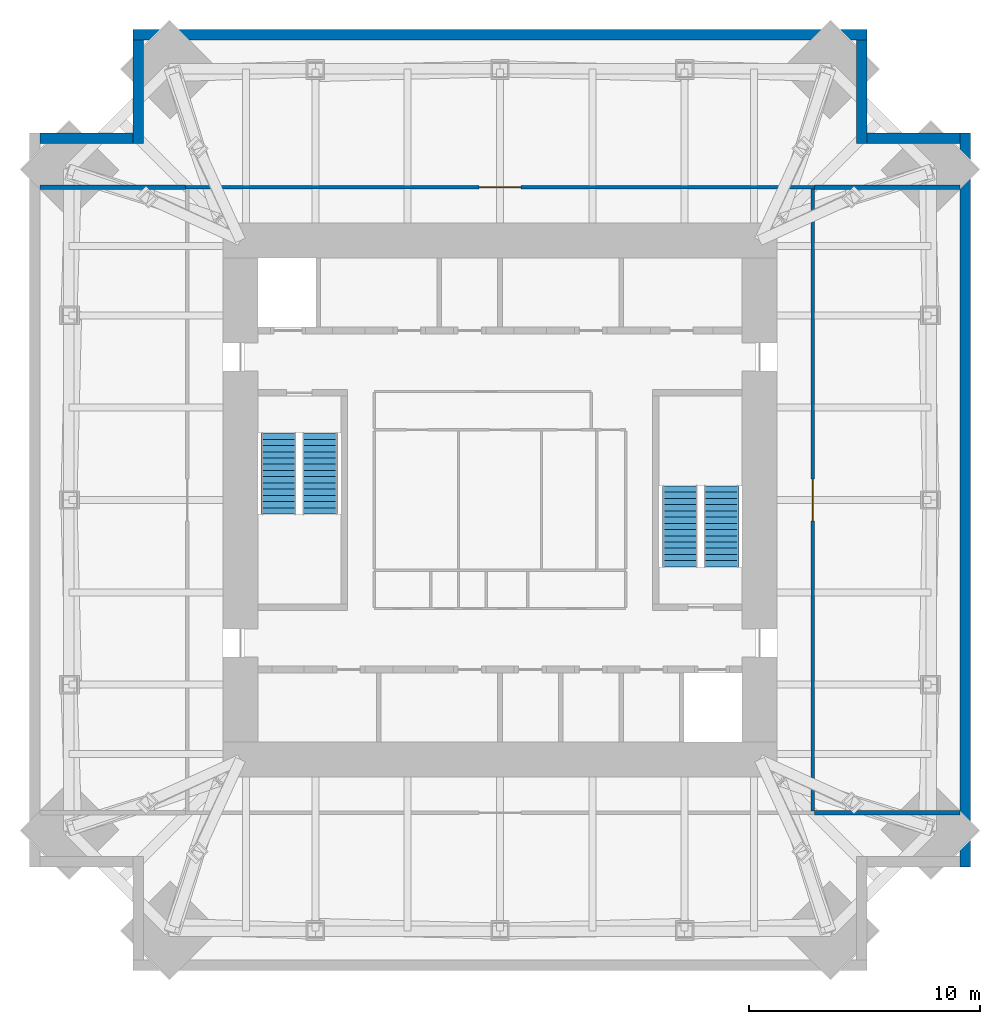
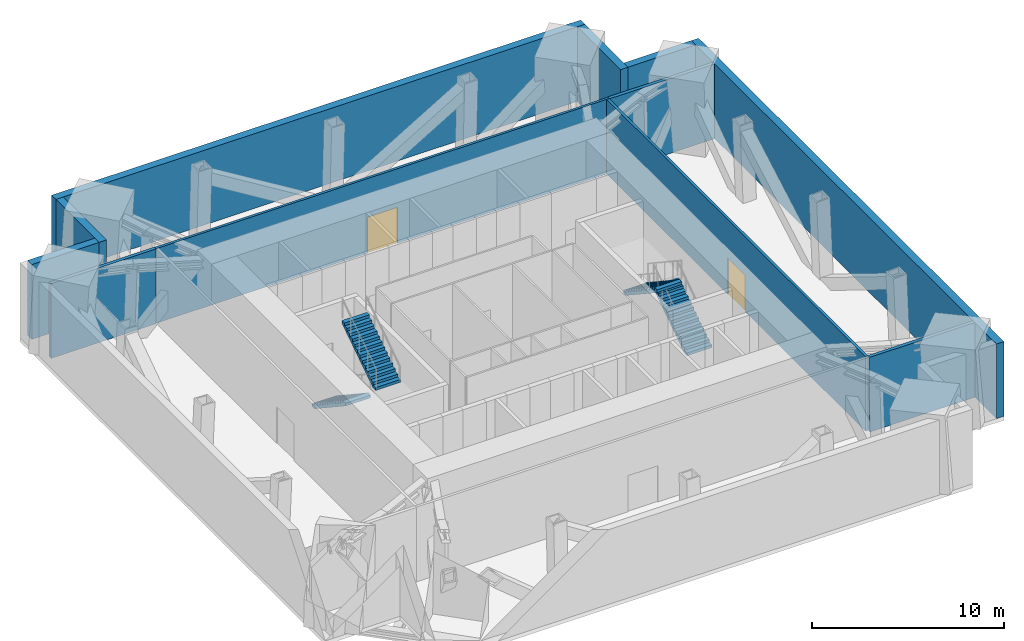
# One storey, part 5 of 6: 11 walls, 4 stair flights, 2 doors, 2 openings, 2 elements without a shape of their own.
"""IFC4 building model written with IfcOpenShell, lengths in metres."""

from ifc_helpers import new_model, si_unit, direction, frame, frame_2d, origin, place, context, subcontext, project, spatial, polyline, rectangle, outline, extrude, material, layer, layer_set, type_object, element, fill, aggregate, save


model = new_model("IFC4")

# Units and contexts
model_context = context("Model", 3, precision=1e-05, world=origin(), true_north=direction((0.0, 1.0)))
body_context = subcontext(model_context, "Body", "Model", "MODEL_VIEW")
ifc_project = project(units=[si_unit("LENGTHUNIT", "METRE"), si_unit("AREAUNIT", "SQUARE_METRE"), si_unit("VOLUMEUNIT", "CUBIC_METRE"), si_unit("PLANEANGLEUNIT", "RADIAN"), si_unit("MASSUNIT", "GRAM", prefix="KILO")], contexts=[model_context])

# Site, building, storey
site_placement = place(None, origin())
site = spatial("IfcSite", under=ifc_project, at=site_placement, CompositionType="ELEMENT")
building_placement = place(site_placement, origin())
building = spatial("IfcBuilding", under=site, at=building_placement, Name="Peilmerk Tower", CompositionType="ELEMENT")
storey_placement = place(building_placement, frame((0.0, 0.0, 302.800048828125)))
storey = spatial("IfcBuildingStorey", under=building, at=storey_placement, Name="L68", CompositionType="ELEMENT", Elevation=302.800048828125)

# Walls
ifc_material_1 = material(Name="Precast concrete C45/55, board-marked finish", Category="concrete")
ifc_layer_1 = layer(ifc_material_1, 0.449951171875)
ifc_layer_set_1 = layer_set([ifc_layer_1], Name="Precast concrete C45/55, board-marked finish")
wall_type_1 = type_object("IfcWallType", Name="EW1 450 precast concrete facade wall, board-marked", PredefinedType="SOLIDWALL", material=ifc_layer_set_1)
for number, where, z_axis, x_axis, name in (
    (1, (15.89990234375, 20.175048828125, 0.0), (0.0, 0.0, 1.0), (-1.0, 0.0, 0.0), "Facade wall N L68"),
    (2, (20.175048828125, -15.89990234375, 0.0), (0.0, 0.0, 1.0), (0.0, 1.0, 0.0), "Facade wall E L68"),
):
    element("IfcWall", number, at=place(storey_placement, frame(where, z_axis=z_axis, x_axis=x_axis)), inside=storey, type_object=wall_type_1, Name=name, PredefinedType="SOLIDWALL", context=body_context, shape_type="SweptSolid", body=[
        extrude(rectangle(XDim=31.7998046875, YDim=0.449951171875, at=frame_2d((15.89990234375, 0.0))), origin(), (0.0, 0.0, 1.0), 4.75),
    ])
wall_1_placement = place(storey_placement, frame((15.675048828125, 15.449951171875, 0.0), z_axis=(0.0, 0.0, 1.0), x_axis=(0.0, 1.0, 0.0)))
element("IfcWall", 3, at=wall_1_placement, inside=storey, type_object=wall_type_1, Name="Facade wall NEA L68", PredefinedType="SOLIDWALL", context=body_context, shape_type="SweptSolid", body=[
    extrude(rectangle(XDim=4.5, YDim=0.449951171875, at=frame_2d((2.25, 0.0))), origin(), (0.0, 0.0, 1.0), 4.75),
])
wall_2_placement = place(storey_placement, frame((15.89990234375, 15.675048828125, 0.0), z_axis=(0.0, 0.0, 1.0), x_axis=(1.0, 0.0, 0.0)))
element("IfcWall", 4, at=wall_2_placement, inside=storey, type_object=wall_type_1, Name="Facade wall NEB L68", PredefinedType="SOLIDWALL", context=body_context, shape_type="SweptSolid", body=[
    extrude(rectangle(XDim=4.050048828125, YDim=0.449951171875, at=frame_2d((2.02490234375, 0.0))), origin(), (0.0, 0.0, 1.0), 4.75),
])
wall_3_placement = place(storey_placement, frame((-15.675048828125, 15.449951171875, 0.0), z_axis=(0.0, 0.0, 1.0), x_axis=(0.0, 1.0, 0.0)))
element("IfcWall", 5, at=wall_3_placement, inside=storey, type_object=wall_type_1, Name="Facade wall NWA L68", PredefinedType="SOLIDWALL", context=body_context, shape_type="SweptSolid", body=[
    extrude(rectangle(XDim=4.5, YDim=0.449951171875, at=frame_2d((2.25, 0.0))), origin(), (0.0, 0.0, 1.0), 4.75),
])
wall_4_placement = place(storey_placement, frame((-15.89990234375, 15.675048828125, 0.0), z_axis=(0.0, 0.0, 1.0), x_axis=(-1.0, 0.0, 0.0)))
element("IfcWall", 6, at=wall_4_placement, inside=storey, type_object=wall_type_1, Name="Facade wall NWB L68", PredefinedType="SOLIDWALL", context=body_context, shape_type="SweptSolid", body=[
    extrude(rectangle(XDim=4.050048828125, YDim=0.449951171875, at=frame_2d((2.02490234375, 0.0))), origin(), (0.0, 0.0, 1.0), 4.75),
])

# Wall, opening, door
ifc_material_2 = material(Name="Calcium silicate block", Category="masonry")
ifc_layer_2 = layer(ifc_material_2, 0.14990234375)
ifc_layer_set_2 = layer_set([ifc_layer_2], Name="Calcium silicate block")
wall_type_2 = type_object("IfcWallType", Name="IW1 150 corridor partition, EI 60", PredefinedType="PARTITIONING", material=ifc_layer_set_2)
wall_5_placement = place(storey_placement, frame((-13.625, 13.550048828125, 0.0), z_axis=(0.0, 0.0, 1.0), x_axis=(1.0, 0.0, 0.0)))
wall_5 = element("IfcWall", 7, at=wall_5_placement, inside=storey, type_object=wall_type_2, Name="Corridor wall N L68", PredefinedType="PARTITIONING", context=body_context, shape_type="SweptSolid", body=[
    extrude(rectangle(XDim=27.25, YDim=0.14990234375, at=frame_2d((13.625, 0.0))), origin(), (0.0, 0.0, 1.0), 4.75),
])
opening_1_placement = place(wall_5_placement, frame((12.72509765625, 0.0, 0.0)))
opening_1 = element("IfcOpeningElement", 8, at=opening_1_placement, cuts=wall_5, Name="Opening D2", PredefinedType="OPENING", context=body_context, shape_type="SweptSolid", body=[
    extrude(rectangle(XDim=1.800048828125, YDim=2.300048828125, at=frame_2d((0.89990234375, 1.14990234375))), frame((0.0, 0.0849609375, 0.0), z_axis=(0.0, -1.0, 0.0), x_axis=(1.0, 0.0, 0.0)), (0.0, 0.0, 1.0), 0.169921875),
])
ifc_material_3 = material(Name="Steel door in steel frame", Category="steel")
door_type = type_object("IfcDoorType", Name="D2 1800x2300 double door, EI2 60", OperationType="DOUBLE_DOOR_DOUBLE_SWING", PredefinedType="DOOR", material=ifc_material_3)
door_1_placement = place(opening_1_placement, origin())
door_1 = element("IfcDoor", 9, at=door_1_placement, inside=storey, type_object=door_type, Name="Door Cooling plant room L68", OperationType="DOUBLE_DOOR_DOUBLE_SWING", OverallHeight=2.300048828125, OverallWidth=1.800048828125, PredefinedType="DOOR", context=body_context, shape_type="SweptSolid", body=[
    extrude(rectangle(XDim=1.800048828125, YDim=2.300048828125, at=frame_2d((0.89990234375, 1.14990234375))), frame((0.0, 0.02490234375, 0.0), z_axis=(0.0, -1.0, 0.0), x_axis=(1.0, 0.0, 0.0)), (0.0, 0.0, 1.0), 0.050048828125),
])
fill(opening_1, door_1)

wall_6_placement = place(storey_placement, frame((13.550048828125, -13.47509765625, 0.0), z_axis=(0.0, 0.0, 1.0), x_axis=(0.0, 1.0, 0.0)))
wall_6 = element("IfcWall", 10, at=wall_6_placement, inside=storey, type_object=wall_type_2, Name="Corridor wall E L68", PredefinedType="PARTITIONING", context=body_context, shape_type="SweptSolid", body=[
    extrude(rectangle(XDim=26.9501953125, YDim=0.14990234375, at=frame_2d((13.47509765625, 0.0))), origin(), (0.0, 0.0, 1.0), 4.75),
])
opening_2_placement = place(wall_6_placement, frame((12.574951171875, 0.0, 0.0)))
opening_2 = element("IfcOpeningElement", 11, at=opening_2_placement, cuts=wall_6, Name="Opening D2", PredefinedType="OPENING", context=body_context, shape_type="SweptSolid", body=[
    extrude(rectangle(XDim=1.800048828125, YDim=2.300048828125, at=frame_2d((0.89990234375, 1.14990234375))), frame((0.0, 0.0849609375, 0.0), z_axis=(0.0, -1.0, 0.0), x_axis=(1.0, 0.0, 0.0)), (0.0, 0.0, 1.0), 0.169921875),
])
door_2_placement = place(opening_2_placement, frame((1.800048828125, 0.0, 0.0), z_axis=(0.0, 0.0, 1.0), x_axis=(-1.0, 0.0, 0.0)))
door_2 = element("IfcDoor", 12, at=door_2_placement, inside=storey, type_object=door_type, Name="Door Plant room L68", OperationType="DOUBLE_DOOR_DOUBLE_SWING", OverallHeight=2.300048828125, OverallWidth=1.800048828125, PredefinedType="DOOR", context=body_context, shape_type="SweptSolid", body=[
    extrude(rectangle(XDim=1.800048828125, YDim=2.300048828125, at=frame_2d((0.89990234375, 1.14990234375))), frame((0.0, 0.02490234375, 0.0), z_axis=(0.0, -1.0, 0.0), x_axis=(1.0, 0.0, 0.0)), (0.0, 0.0, 1.0), 0.050048828125),
])
fill(opening_2, door_2)

# Walls
ifc_layer_3 = layer(ifc_material_2, 0.199951171875)
ifc_layer_set_3 = layer_set([ifc_layer_3], Name="Calcium silicate block")
wall_type_3 = type_object("IfcWallType", Name="IW2 200 room separating wall, EI 120", PredefinedType="PARTITIONING", material=ifc_layer_set_3)
for number, where, z_axis, x_axis, name in (
    (13, (13.625, 13.550048828125, 0.0), (0.0, 0.0, 1.0), (1.0, 0.0, 0.0), "Room separating wall NE L68"),
    (14, (-19.949951171875, 13.550048828125, 0.0), (0.0, 0.0, 1.0), (1.0, 0.0, 0.0), "Room separating wall NW L68"),
    (15, (19.949951171875, -13.550048828125, 0.0), (0.0, 0.0, 1.0), (-1.0, 0.0, 0.0), "Room separating wall SE L68"),
):
    element("IfcWall", number, at=place(storey_placement, frame(where, z_axis=z_axis, x_axis=x_axis)), inside=storey, type_object=wall_type_3, Name=name, PredefinedType="PARTITIONING", context=body_context, shape_type="SweptSolid", body=[
        extrude(rectangle(XDim=6.324951171875, YDim=0.199951171875, at=frame_2d((3.16259765625, 0.0))), origin(), (0.0, 0.0, 1.0), 4.75),
    ])

# Stair, stair flights
ifc_material_4 = material(Name="Precast concrete C45/55", Category="concrete")
stair_type_1 = type_object("IfcStairType", Name="ST1 28 risers of 178.6", PredefinedType="HALF_TURN_STAIR", material=ifc_material_4)
stair_1_placement = place(storey_placement, origin())
stair_1 = element("IfcStair", 16, at=stair_1_placement, inside=storey, type_object=stair_type_1, Name="Stair 1 L68 to RF", PredefinedType="HALF_TURN_STAIR")
stair_flight_type = type_object("IfcStairFlightType", Name="SF14 flight, 14 risers of 178.6", PredefinedType="STRAIGHT", material=ifc_material_4)
stair_flight_1_placement = place(storey_placement, frame((-9.60009765625, 2.89990234375, 0.0), z_axis=(0.0, 0.0, 1.0), x_axis=(0.0, -1.0, 0.0)))
stair_flight_1 = element("IfcStairFlight", 17, at=stair_flight_1_placement, type_object=stair_flight_type, Name="ST1 flight 1", NumberOfRisers=14, NumberOfTreads=13, PredefinedType="STRAIGHT", RiserHeight=0.178571429, TreadLength=0.27, context=body_context, shape_type="SweptSolid", body=[
    extrude(outline(polyline([(0.0, 0.0), (0.0, 0.178466796875), (0.27001953125, 0.178466796875), (0.27001953125, 0.357177734375), (0.5400390625, 0.357177734375), (0.5400390625, 0.53564453125), (0.81005859375, 0.53564453125), (0.81005859375, 0.71435546875), (1.080078125, 0.71435546875), (1.080078125, 0.892822265625), (1.35009765625, 0.892822265625), (1.35009765625, 1.071533203125), (1.6201171875, 1.071533203125), (1.6201171875, 1.25), (1.889892578125, 1.25), (1.889892578125, 1.428466796875), (2.159912109375, 1.428466796875), (2.159912109375, 1.607177734375), (2.429931640625, 1.607177734375), (2.429931640625, 1.78564453125), (2.699951171875, 1.78564453125), (2.699951171875, 1.96435546875), (2.969970703125, 1.96435546875), (2.969970703125, 2.142822265625), (3.239990234375, 2.142822265625), (3.239990234375, 2.321533203125), (3.510009765625, 2.321533203125), (3.510009765625, 2.5), (3.510009765625, 2.1416015625), (0.271728515625, 0.0), (0.0, 0.0)])), frame((0.0, 0.75, 0.0), z_axis=(0.0, -1.0, 0.0), x_axis=(1.0, 0.0, 0.0)), (0.0, 0.0, 1.0), 1.5),
])
stair_flight_2_placement = place(storey_placement, frame((-7.800048828125, -0.610107421875, 2.5), z_axis=(0.0, 0.0, 1.0), x_axis=(0.0, 1.0, 0.0)))
stair_flight_2 = element("IfcStairFlight", 18, at=stair_flight_2_placement, type_object=stair_flight_type, Name="ST1 flight 2", NumberOfRisers=14, NumberOfTreads=13, PredefinedType="STRAIGHT", RiserHeight=0.178571429, TreadLength=0.27, context=body_context, shape_type="SweptSolid", body=[
    extrude(outline(polyline([(0.0, 0.0), (0.0, 0.178466796875), (0.27001953125, 0.178466796875), (0.27001953125, 0.357177734375), (0.5400390625, 0.357177734375), (0.5400390625, 0.53564453125), (0.81005859375, 0.53564453125), (0.81005859375, 0.71435546875), (1.080078125, 0.71435546875), (1.080078125, 0.892822265625), (1.35009765625, 0.892822265625), (1.35009765625, 1.071533203125), (1.6201171875, 1.071533203125), (1.6201171875, 1.25), (1.889892578125, 1.25), (1.889892578125, 1.428466796875), (2.159912109375, 1.428466796875), (2.159912109375, 1.607177734375), (2.429931640625, 1.607177734375), (2.429931640625, 1.78564453125), (2.699951171875, 1.78564453125), (2.699951171875, 1.96435546875), (2.969970703125, 1.96435546875), (2.969970703125, 2.142822265625), (3.239990234375, 2.142822265625), (3.239990234375, 2.321533203125), (3.510009765625, 2.321533203125), (3.510009765625, 2.5), (3.510009765625, 2.1416015625), (0.271728515625, 0.0), (0.0, 0.0)])), frame((0.0, 0.75, 0.0), z_axis=(0.0, -1.0, 0.0), x_axis=(1.0, 0.0, 0.0)), (0.0, 0.0, 1.0), 1.5),
])
aggregate(stair_1, [stair_flight_1, stair_flight_2])

stair_type_2 = type_object("IfcStairType", Name="ST2 28 risers of 178.6", PredefinedType="HALF_TURN_STAIR", material=ifc_material_4)
stair_2_placement = place(storey_placement, origin())
stair_2 = element("IfcStair", 19, at=stair_2_placement, inside=storey, type_object=stair_type_2, Name="Stair 2 L68 to RF", PredefinedType="HALF_TURN_STAIR")
stair_flight_3_placement = place(storey_placement, frame((9.60009765625, -2.89990234375, 0.0), z_axis=(0.0, 0.0, 1.0), x_axis=(0.0, 1.0, 0.0)))
stair_flight_3 = element("IfcStairFlight", 20, at=stair_flight_3_placement, type_object=stair_flight_type, Name="ST2 flight 1", NumberOfRisers=14, NumberOfTreads=13, PredefinedType="STRAIGHT", RiserHeight=0.178571429, TreadLength=0.27, context=body_context, shape_type="SweptSolid", body=[
    extrude(outline(polyline([(0.0, 0.0), (0.0, 0.178466796875), (0.27001953125, 0.178466796875), (0.27001953125, 0.357177734375), (0.5400390625, 0.357177734375), (0.5400390625, 0.53564453125), (0.81005859375, 0.53564453125), (0.81005859375, 0.71435546875), (1.080078125, 0.71435546875), (1.080078125, 0.892822265625), (1.35009765625, 0.892822265625), (1.35009765625, 1.071533203125), (1.6201171875, 1.071533203125), (1.6201171875, 1.25), (1.889892578125, 1.25), (1.889892578125, 1.428466796875), (2.159912109375, 1.428466796875), (2.159912109375, 1.607177734375), (2.429931640625, 1.607177734375), (2.429931640625, 1.78564453125), (2.699951171875, 1.78564453125), (2.699951171875, 1.96435546875), (2.969970703125, 1.96435546875), (2.969970703125, 2.142822265625), (3.239990234375, 2.142822265625), (3.239990234375, 2.321533203125), (3.510009765625, 2.321533203125), (3.510009765625, 2.5), (3.510009765625, 2.1416015625), (0.271728515625, 0.0), (0.0, 0.0)])), frame((0.0, 0.75, 0.0), z_axis=(0.0, -1.0, 0.0), x_axis=(1.0, 0.0, 0.0)), (0.0, 0.0, 1.0), 1.5),
])
stair_flight_4_placement = place(storey_placement, frame((7.800048828125, 0.610107421875, 2.5), z_axis=(0.0, 0.0, 1.0), x_axis=(0.0, -1.0, 0.0)))
stair_flight_4 = element("IfcStairFlight", 21, at=stair_flight_4_placement, type_object=stair_flight_type, Name="ST2 flight 2", NumberOfRisers=14, NumberOfTreads=13, PredefinedType="STRAIGHT", RiserHeight=0.178571429, TreadLength=0.27, context=body_context, shape_type="SweptSolid", body=[
    extrude(outline(polyline([(0.0, 0.0), (0.0, 0.178466796875), (0.27001953125, 0.178466796875), (0.27001953125, 0.357177734375), (0.5400390625, 0.357177734375), (0.5400390625, 0.53564453125), (0.81005859375, 0.53564453125), (0.81005859375, 0.71435546875), (1.080078125, 0.71435546875), (1.080078125, 0.892822265625), (1.35009765625, 0.892822265625), (1.35009765625, 1.071533203125), (1.6201171875, 1.071533203125), (1.6201171875, 1.25), (1.889892578125, 1.25), (1.889892578125, 1.428466796875), (2.159912109375, 1.428466796875), (2.159912109375, 1.607177734375), (2.429931640625, 1.607177734375), (2.429931640625, 1.78564453125), (2.699951171875, 1.78564453125), (2.699951171875, 1.96435546875), (2.969970703125, 1.96435546875), (2.969970703125, 2.142822265625), (3.239990234375, 2.142822265625), (3.239990234375, 2.321533203125), (3.510009765625, 2.321533203125), (3.510009765625, 2.5), (3.510009765625, 2.1416015625), (0.271728515625, 0.0), (0.0, 0.0)])), frame((0.0, 0.75, 0.0), z_axis=(0.0, -1.0, 0.0), x_axis=(1.0, 0.0, 0.0)), (0.0, 0.0, 1.0), 1.5),
])
aggregate(stair_2, [stair_flight_3, stair_flight_4])

save(model, "model.ifc")
